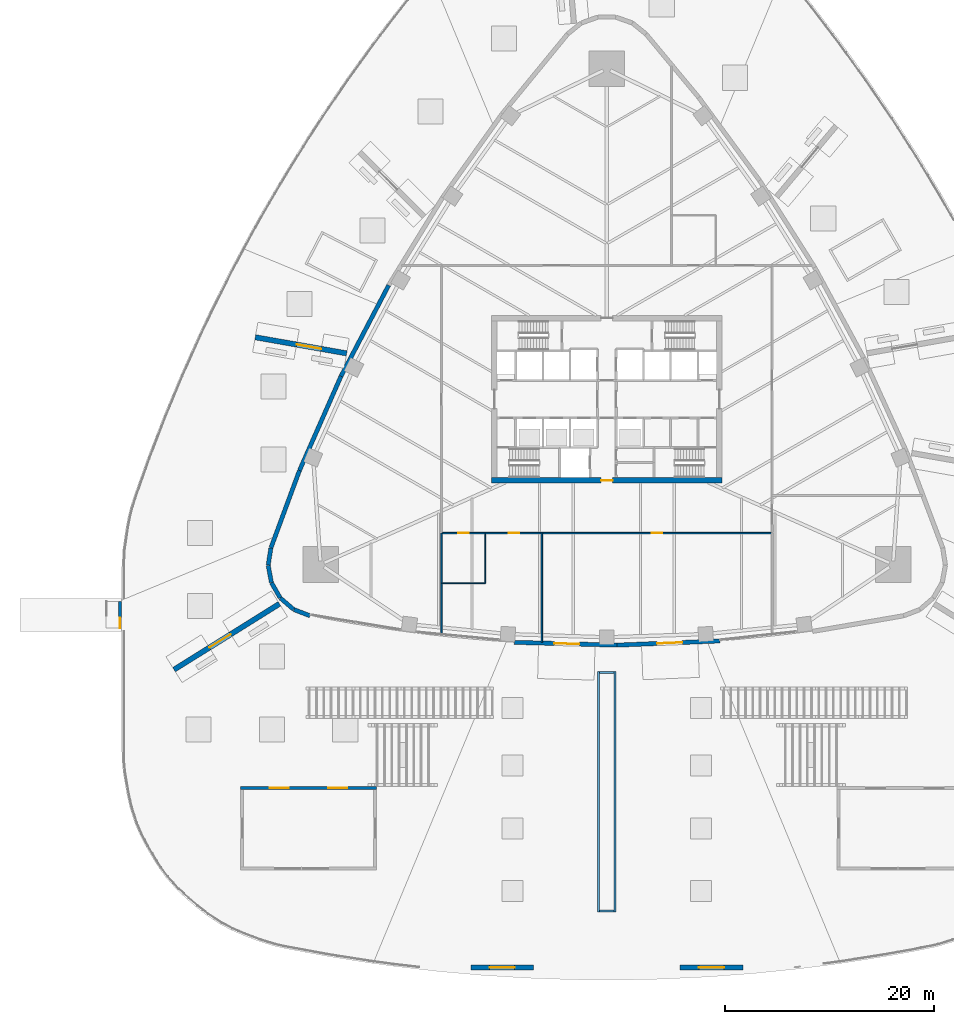
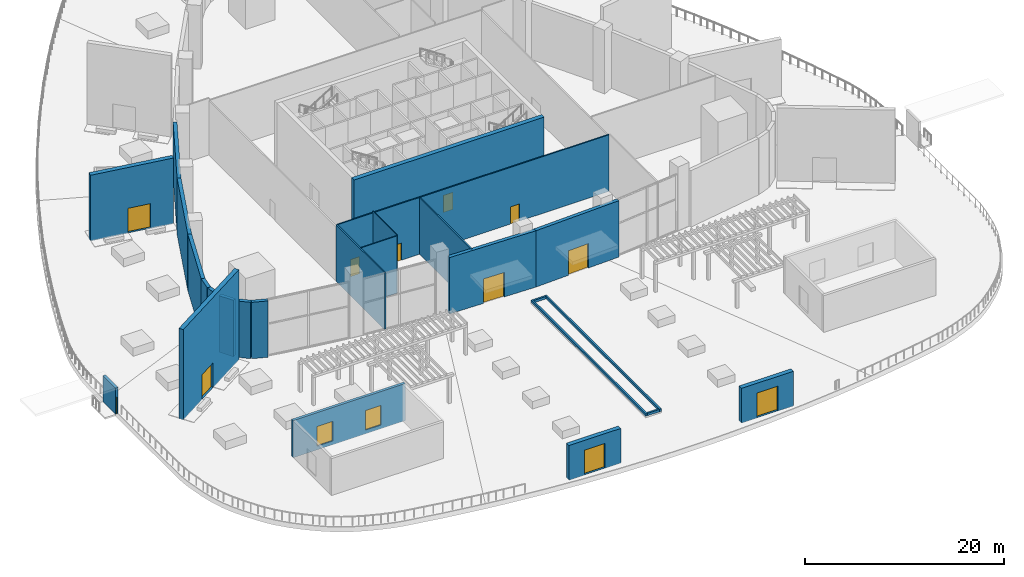
# One storey, part 8 of 20: 26 walls, 11 doors, 2 windows, 13 openings.
"""IFC4 building model written with IfcOpenShell, lengths in metres."""

from ifc_helpers import new_model, si_unit, direction, frame, frame_2d, origin, place, context, subcontext, project, spatial, rectangle, extrude, material, layer, layer_set, type_object, element, fill, save


model = new_model("IFC4")

# Units and contexts
model_context = context("Model", 3, precision=1e-05, world=origin(), true_north=direction((0.0, 1.0)))
body_context = subcontext(model_context, "Body", "Model", "MODEL_VIEW")
ifc_project = project(units=[si_unit("LENGTHUNIT", "METRE"), si_unit("AREAUNIT", "SQUARE_METRE"), si_unit("VOLUMEUNIT", "CUBIC_METRE"), si_unit("PLANEANGLEUNIT", "RADIAN"), si_unit("MASSUNIT", "GRAM", prefix="KILO")], contexts=[model_context])

# Site, building, storey
site_placement = place(None, origin())
site = spatial("IfcSite", under=ifc_project, at=site_placement, CompositionType="ELEMENT")
building_placement = place(site_placement, origin())
building = spatial("IfcBuilding", under=site, at=building_placement, Name="Sierra Prisma Convention Tower", CompositionType="ELEMENT")
storey_placement = place(building_placement, frame((0.0, 0.0, 9.0)))
storey = spatial("IfcBuildingStorey", under=building, at=storey_placement, Name="L01", CompositionType="ELEMENT", Elevation=9.0)

# Walls
ifc_material_1 = material(Name="Concrete C30/37, ochre plaster finish", Category="concrete")
ifc_layer_1 = layer(ifc_material_1, 0.199951171875)
ifc_layer_set_1 = layer_set([ifc_layer_1], Name="Basin kerb wall 200")
wall_type_1 = type_object("IfcWallType", Name="Basin kerb wall 200", PredefinedType="STANDARD", material=ifc_layer_set_1)
wall_1_placement = place(storey_placement, frame((0.800048828125, -49.0, 0.179931640625), z_axis=(0.0, 0.0, 1.0), x_axis=(0.0, 1.0, 0.0)))
element("IfcWall", 1, at=wall_1_placement, inside=storey, type_object=wall_type_1, Name="Water mirror kerb 1.1", PredefinedType="STANDARD", context=body_context, shape_type="SweptSolid", body=[
    extrude(rectangle(XDim=23.0, YDim=0.199951171875, at=frame_2d((11.5, 0.0))), origin(), (0.0, 0.0, 1.0), 0.300048828125),
])
wall_2_placement = place(storey_placement, frame((0.699951171875, -26.10009765625, 0.179931640625), z_axis=(0.0, 0.0, 1.0), x_axis=(-1.0, 0.0, 0.0)))
element("IfcWall", 2, at=wall_2_placement, inside=storey, type_object=wall_type_1, Name="Water mirror kerb 1.2", PredefinedType="STANDARD", context=body_context, shape_type="SweptSolid", body=[
    extrude(rectangle(XDim=1.39990234375, YDim=0.199951171875, at=frame_2d((0.699951171875, 0.0))), origin(), (0.0, 0.0, 1.0), 0.300048828125),
])
wall_3_placement = place(storey_placement, frame((-0.800048828125, -26.0, 0.179931640625), z_axis=(0.0, 0.0, 1.0), x_axis=(0.0, -1.0, 0.0)))
element("IfcWall", 3, at=wall_3_placement, inside=storey, type_object=wall_type_1, Name="Water mirror kerb 1.3", PredefinedType="STANDARD", context=body_context, shape_type="SweptSolid", body=[
    extrude(rectangle(XDim=23.0, YDim=0.199951171875, at=frame_2d((11.5, 0.0))), origin(), (0.0, 0.0, 1.0), 0.300048828125),
])
wall_4_placement = place(storey_placement, frame((-0.699951171875, -48.89990234375, 0.179931640625), z_axis=(0.0, 0.0, 1.0), x_axis=(1.0, 0.0, 0.0)))
element("IfcWall", 4, at=wall_4_placement, inside=storey, type_object=wall_type_1, Name="Water mirror kerb 1.4", PredefinedType="STANDARD", context=body_context, shape_type="SweptSolid", body=[
    extrude(rectangle(XDim=1.39990234375, YDim=0.199951171875, at=frame_2d((0.699951171875, 0.0))), origin(), (0.0, 0.0, 1.0), 0.300048828125),
])
ifc_material_2 = material(Name="Gypsum board partition", Category="gypsum")
ifc_layer_2 = layer(ifc_material_2, 0.10009765625)
ifc_layer_set_2 = layer_set([ifc_layer_2], Name="Bathroom partition 100")
wall_type_2 = type_object("IfcWallType", Name="Bathroom partition 100", PredefinedType="PARTITIONING", material=ifc_layer_set_2)
wall_5_placement = place(storey_placement, frame((-11.60009765625, -12.830078125, 0.0), z_axis=(0.0, 0.0, 1.0), x_axis=(0.0, -1.0, 0.0)))
element("IfcWall", 5, at=wall_5_placement, inside=storey, type_object=wall_type_2, Name="Partition L01 bath 1", PredefinedType="PARTITIONING", context=body_context, shape_type="SweptSolid", body=[
    extrude(rectangle(XDim=4.77001953125, YDim=0.10009765625, at=frame_2d((2.385009765625, 0.0))), origin(), (0.0, 0.0, 1.0), 7.14990234375),
])
wall_6_placement = place(storey_placement, frame((-11.60009765625, -17.60009765625, 0.0), z_axis=(0.0, 0.0, 1.0), x_axis=(-1.0, 0.0, 0.0)))
element("IfcWall", 6, at=wall_6_placement, inside=storey, type_object=wall_type_2, Name="Partition L01 bath 2", PredefinedType="PARTITIONING", context=body_context, shape_type="SweptSolid", body=[
    extrude(rectangle(XDim=4.169921875, YDim=0.10009765625, at=frame_2d((2.0849609375, 0.0))), origin(), (0.0, 0.0, 1.0), 7.01708984375),
])

# Wall, opening, door
ifc_material_3 = material(Name="Concrete C70/85", Category="concrete")
ifc_layer_3 = layer(ifc_material_3, 0.5)
ifc_layer_set_3 = layer_set([ifc_layer_3], Name="Core wall RC 500 C70/85")
wall_type_3 = type_object("IfcWallType", Name="Core wall RC 500 C70/85", PredefinedType="SHEAR", material=ifc_layer_set_3)
wall_7_placement = place(storey_placement, frame((-11.0, -7.75, 0.0), z_axis=(0.0, 0.0, 1.0), x_axis=(1.0, 0.0, 0.0)))
wall_7 = element("IfcWall", 7, at=wall_7_placement, inside=storey, type_object=wall_type_3, Name="Core wall S L01", PredefinedType="SHEAR", context=body_context, shape_type="SweptSolid", body=[
    extrude(rectangle(XDim=22.0, YDim=0.5, at=frame_2d((11.0, 0.0))), origin(), (0.0, 0.0, 1.0), 7.800048828125),
])
opening_1_placement = place(wall_7_placement, frame((10.449951171875, 0.0, 0.0)))
opening_1 = element("IfcOpeningElement", 8, at=opening_1_placement, cuts=wall_7, Name="Opening L01-D053", PredefinedType="OPENING", context=body_context, shape_type="SweptSolid", body=[
    extrude(rectangle(XDim=1.10009765625, YDim=2.10009765625, at=frame_2d((0.550048828125, 1.050048828125))), frame((0.0, 0.25, 0.0), z_axis=(0.0, -1.0, 0.0), x_axis=(1.0, 0.0, 0.0)), (0.0, 0.0, 1.0), 0.5),
])
ifc_material_4 = material(Name="Steel fire door leaf", Category="steel")
door_type_1 = type_object("IfcDoorType", Name="Door 1100x2100 FD30S", OperationType="SINGLE_SWING_LEFT", PredefinedType="DOOR", material=ifc_material_4)
door_1_placement = place(opening_1_placement, origin())
door_1 = element("IfcDoor", 9, at=door_1_placement, inside=storey, type_object=door_type_1, Name="Door L01 36", OperationType="SINGLE_SWING_LEFT", OverallHeight=2.10009765625, OverallWidth=1.10009765625, PredefinedType="DOOR", context=body_context, shape_type="SweptSolid", body=[
    extrude(rectangle(XDim=1.10009765625, YDim=2.10009765625, at=frame_2d((0.550048828125, 1.050048828125))), frame((0.0, 0.02490234375, 0.0), z_axis=(0.0, -1.0, 0.0), x_axis=(1.0, 0.0, 0.0)), (0.0, 0.0, 1.0), 0.050048828125),
])
fill(opening_1, door_1)

# Wall, openings, doors
ifc_material_5 = material(Name="Gypsum board partition", Category="gypsum")
ifc_layer_4 = layer(ifc_material_5, 0.14990234375)
ifc_layer_set_4 = layer_set([ifc_layer_4], Name="Corridor wall 150 gypsum EI 60")
wall_type_4 = type_object("IfcWallType", Name="Corridor wall 150 gypsum EI 60", PredefinedType="PARTITIONING", material=ifc_layer_set_4)
wall_8_placement = place(storey_placement, frame((-15.719970703125, -12.800048828125, 0.0), z_axis=(0.0, 0.0, 1.0), x_axis=(1.0, 0.0, 0.0)))
wall_8 = element("IfcWall", 10, at=wall_8_placement, inside=storey, type_object=wall_type_4, Name="Partition L01 corr 2", PredefinedType="PARTITIONING", context=body_context, shape_type="SweptSolid", body=[
    extrude(rectangle(XDim=31.43994140625, YDim=0.14990234375, at=frame_2d((15.719970703125, 0.0))), origin(), (0.0, 0.0, 1.0), 6.947021484375),
])
opening_2_placement = place(wall_8_placement, frame((1.52001953125, 0.0, 0.0)))
opening_2 = element("IfcOpeningElement", 11, at=opening_2_placement, cuts=wall_8, Name="Opening L01-D028", PredefinedType="OPENING", context=body_context, shape_type="SweptSolid", body=[
    extrude(rectangle(XDim=1.0, YDim=2.10009765625, at=frame_2d((0.5, 1.050048828125))), frame((0.0, 0.074951171875, 0.0), z_axis=(0.0, -1.0, 0.0), x_axis=(1.0, 0.0, 0.0)), (0.0, 0.0, 1.0), 0.14990234375),
])
opening_3_placement = place(wall_8_placement, frame((6.3701171875, 0.0, 0.0)))
opening_3 = element("IfcOpeningElement", 12, at=opening_3_placement, cuts=wall_8, Name="Opening L01-D029", PredefinedType="OPENING", context=body_context, shape_type="SweptSolid", body=[
    extrude(rectangle(XDim=1.0, YDim=2.10009765625, at=frame_2d((0.5, 1.050048828125))), frame((0.0, 0.074951171875, 0.0), z_axis=(0.0, -1.0, 0.0), x_axis=(1.0, 0.0, 0.0)), (0.0, 0.0, 1.0), 0.14990234375),
])
opening_4_placement = place(wall_8_placement, frame((20.02001953125, 0.0, 0.0)))
opening_4 = element("IfcOpeningElement", 13, at=opening_4_placement, cuts=wall_8, Name="Opening L01-D030", PredefinedType="OPENING", context=body_context, shape_type="SweptSolid", body=[
    extrude(rectangle(XDim=1.0, YDim=2.10009765625, at=frame_2d((0.5, 1.050048828125))), frame((0.0, 0.074951171875, 0.0), z_axis=(0.0, -1.0, 0.0), x_axis=(1.0, 0.0, 0.0)), (0.0, 0.0, 1.0), 0.14990234375),
])
ifc_material_6 = material(Name="Steel fire door leaf", Category="steel")
door_type_2 = type_object("IfcDoorType", Name="Door 1000x2100 FD30S", OperationType="SINGLE_SWING_LEFT", PredefinedType="DOOR", material=ifc_material_6)
door_2_placement = place(opening_2_placement, origin())
door_2 = element("IfcDoor", 14, at=door_2_placement, inside=storey, type_object=door_type_2, Name="Door L01 5", OperationType="SINGLE_SWING_RIGHT", OverallHeight=2.10009765625, OverallWidth=1.0, PredefinedType="DOOR", context=body_context, shape_type="SweptSolid", body=[
    extrude(rectangle(XDim=1.0, YDim=2.10009765625, at=frame_2d((0.5, 1.050048828125))), frame((0.0, 0.02490234375, 0.0), z_axis=(0.0, -1.0, 0.0), x_axis=(1.0, 0.0, 0.0)), (0.0, 0.0, 1.0), 0.050048828125),
])
fill(opening_2, door_2)
door_3_placement = place(opening_3_placement, origin())
door_3 = element("IfcDoor", 15, at=door_3_placement, inside=storey, type_object=door_type_2, Name="Door L01 6", OperationType="SINGLE_SWING_RIGHT", OverallHeight=2.10009765625, OverallWidth=1.0, PredefinedType="DOOR", context=body_context, shape_type="SweptSolid", body=[
    extrude(rectangle(XDim=1.0, YDim=2.10009765625, at=frame_2d((0.5, 1.050048828125))), frame((0.0, 0.02490234375, 0.0), z_axis=(0.0, -1.0, 0.0), x_axis=(1.0, 0.0, 0.0)), (0.0, 0.0, 1.0), 0.050048828125),
])
fill(opening_3, door_3)
door_4_placement = place(opening_4_placement, origin())
door_4 = element("IfcDoor", 16, at=door_4_placement, inside=storey, type_object=door_type_2, Name="Door L01 7", OperationType="SINGLE_SWING_RIGHT", OverallHeight=2.10009765625, OverallWidth=1.0, PredefinedType="DOOR", context=body_context, shape_type="SweptSolid", body=[
    extrude(rectangle(XDim=1.0, YDim=2.10009765625, at=frame_2d((0.5, 1.050048828125))), frame((0.0, 0.02490234375, 0.0), z_axis=(0.0, -1.0, 0.0), x_axis=(1.0, 0.0, 0.0)), (0.0, 0.0, 1.0), 0.050048828125),
])
fill(opening_4, door_4)

# Wall, opening, door
ifc_material_7 = material(Name="Concrete C35/45", Category="concrete")
ifc_layer_5 = layer(ifc_material_7, 0.300048828125)
ifc_layer_set_5 = layer_set([ifc_layer_5], Name="Exit stair enclosure wall 300")
wall_type_5 = type_object("IfcWallType", Name="Exit stair enclosure wall 300", PredefinedType="STANDARD", material=ifc_layer_set_5)
wall_9_placement = place(storey_placement, frame((-46.504638671875, -21.875, 0.0), z_axis=(0.0, 0.0, 1.0), x_axis=(0.0, 1.0, 0.0)))
wall_9 = element("IfcWall", 17, at=wall_9_placement, inside=storey, type_object=wall_type_5, Name="Exit stair west near wall at the deck", PredefinedType="STANDARD", context=body_context, shape_type="SweptSolid", body=[
    extrude(rectangle(XDim=2.550048828125, YDim=0.300048828125, at=frame_2d((1.27490234375, 0.0))), origin(), (0.0, 0.0, 1.0), 3.199951171875),
])
opening_5_placement = place(wall_9_placement, origin())
opening_5 = element("IfcOpeningElement", 18, at=opening_5_placement, cuts=wall_9, Name="Opening L01-D035", PredefinedType="OPENING", context=body_context, shape_type="SweptSolid", body=[
    extrude(rectangle(XDim=1.0, YDim=2.10009765625, at=frame_2d((0.5, 1.050048828125))), frame((0.0, 0.14990234375, 0.0), z_axis=(0.0, -1.0, 0.0), x_axis=(1.0, 0.0, 0.0)), (0.0, 0.0, 1.0), 0.300048828125),
])
ifc_material_8 = material(Name="Painted steel, fire resisting", Category="steel")
door_type_3 = type_object("IfcDoorType", Name="Exit stair door 1000 x 2100 FD90S", OperationType="SINGLE_SWING_LEFT", PredefinedType="DOOR", material=ifc_material_8)
door_5_placement = place(opening_5_placement, origin())
door_5 = element("IfcDoor", 19, at=door_5_placement, inside=storey, type_object=door_type_3, Name="Door from the deck to the west exit stair", OperationType="SINGLE_SWING_RIGHT", OverallHeight=2.10009765625, OverallWidth=1.0, PredefinedType="DOOR", context=body_context, shape_type="SweptSolid", body=[
    extrude(rectangle(XDim=1.0, YDim=2.10009765625, at=frame_2d((0.5, 1.050048828125))), frame((0.0, 0.02490234375, 0.0), z_axis=(0.0, -1.0, 0.0), x_axis=(1.0, 0.0, 0.0)), (0.0, 0.0, 1.0), 0.050048828125),
])
fill(opening_5, door_5)

ifc_material_9 = material(Name="Concrete C35/45, ochre plaster finish", Category="concrete")
ifc_layer_6 = layer(ifc_material_9, 0.5)
ifc_layer_set_6 = layer_set([ifc_layer_6], Name="Garden gateway wall 500")
wall_type_6 = type_object("IfcWallType", Name="Garden gateway wall 500", PredefinedType="STANDARD", material=ifc_layer_set_6)
wall_10_placement = place(storey_placement, frame((-13.0, -54.290283203125, -0.06005859375), z_axis=(0.0, 0.0, 1.0), x_axis=(1.0, 0.0, 0.0)))
wall_10 = element("IfcWall", 20, at=wall_10_placement, inside=storey, type_object=wall_type_6, Name="Garden gateway wall", PredefinedType="STANDARD", context=body_context, shape_type="SweptSolid", body=[
    extrude(rectangle(XDim=6.0, YDim=0.5, at=frame_2d((3.0, 0.0))), origin(), (0.0, 0.0, 1.0), 4.260009765625),
])
opening_6_placement = place(wall_10_placement, frame((1.800048828125, 0.0, 0.06005859375)))
opening_6 = element("IfcOpeningElement", 21, at=opening_6_placement, cuts=wall_10, Name="Opening L01-D045", PredefinedType="OPENING", context=body_context, shape_type="SweptSolid", body=[
    extrude(rectangle(XDim=2.39990234375, YDim=3.0, at=frame_2d((1.199951171875, 1.5))), frame((0.0, 0.25, 0.0), z_axis=(0.0, -1.0, 0.0), x_axis=(1.0, 0.0, 0.0)), (0.0, 0.0, 1.0), 0.5),
])
ifc_material_10 = material(Name="Bronze anodised aluminium and glass", Category="aluminium")
door_type_4 = type_object("IfcDoorType", Name="Garden gateway door double 2400 x 3000", OperationType="DOUBLE_DOOR_SINGLE_SWING", PredefinedType="DOOR", material=ifc_material_10)
door_6_placement = place(opening_6_placement, origin())
door_6 = element("IfcDoor", 22, at=door_6_placement, inside=storey, type_object=door_type_4, Name="Garden gateway door", OperationType="DOUBLE_DOOR_SINGLE_SWING", OverallHeight=3.0, OverallWidth=2.39990234375, PredefinedType="DOOR", context=body_context, shape_type="SweptSolid", body=[
    extrude(rectangle(XDim=2.39990234375, YDim=3.0, at=frame_2d((1.199951171875, 1.5))), frame((0.0, 0.02490234375, 0.0), z_axis=(0.0, -1.0, 0.0), x_axis=(1.0, 0.0, 0.0)), (0.0, 0.0, 1.0), 0.050048828125),
])
fill(opening_6, door_6)

wall_11_placement = place(storey_placement, frame((13.0, -54.290283203125, -0.06005859375), z_axis=(0.0, 0.0, 1.0), x_axis=(-1.0, 0.0, 0.0)))
wall_11 = element("IfcWall", 23, at=wall_11_placement, inside=storey, type_object=wall_type_6, Name="Garden gateway wall", PredefinedType="STANDARD", context=body_context, shape_type="SweptSolid", body=[
    extrude(rectangle(XDim=6.0, YDim=0.5, at=frame_2d((3.0, 0.0))), origin(), (0.0, 0.0, 1.0), 4.260009765625),
])
opening_7_placement = place(wall_11_placement, frame((1.800048828125, 0.0, 0.06005859375)))
opening_7 = element("IfcOpeningElement", 24, at=opening_7_placement, cuts=wall_11, Name="Opening L01-D046", PredefinedType="OPENING", context=body_context, shape_type="SweptSolid", body=[
    extrude(rectangle(XDim=2.39990234375, YDim=3.0, at=frame_2d((1.199951171875, 1.5))), frame((0.0, 0.25, 0.0), z_axis=(0.0, -1.0, 0.0), x_axis=(1.0, 0.0, 0.0)), (0.0, 0.0, 1.0), 0.5),
])
door_7_placement = place(opening_7_placement, origin())
door_7 = element("IfcDoor", 25, at=door_7_placement, inside=storey, type_object=door_type_4, Name="Garden gateway door", OperationType="DOUBLE_DOOR_SINGLE_SWING", OverallHeight=3.0, OverallWidth=2.39990234375, PredefinedType="DOOR", context=body_context, shape_type="SweptSolid", body=[
    extrude(rectangle(XDim=2.39990234375, YDim=3.0, at=frame_2d((1.199951171875, 1.5))), frame((0.0, 0.02490234375, 0.0), z_axis=(0.0, -1.0, 0.0), x_axis=(1.0, 0.0, 0.0)), (0.0, 0.0, 1.0), 0.050048828125),
])
fill(opening_7, door_7)

ifc_material_11 = material(Name="Concrete C35/45, ochre plaster finish", Category="concrete")
ifc_layer_7 = layer(ifc_material_11, 0.5)
ifc_layer_set_7 = layer_set([ifc_layer_7], Name="Ochre garden wall 500")
wall_type_7 = type_object("IfcWallType", Name="Ochre garden wall 500", PredefinedType="STANDARD", material=ifc_layer_set_7)
wall_12_placement = place(storey_placement, frame((-31.281982421875, -19.547119140625, -0.06005859375), z_axis=(0.0, 0.0, 1.0), x_axis=(-0.848041028106, -0.529930575311, 0.0)))
wall_12 = element("IfcWall", 26, at=wall_12_placement, inside=storey, type_object=wall_type_7, Name="Garden wall 6", PredefinedType="STANDARD", context=body_context, shape_type="SweptSolid", body=[
    extrude(rectangle(XDim=11.87744140625, YDim=0.5, at=frame_2d((5.938720703125, 0.0))), origin(), (0.0, 0.0, 1.0), 11.06005859375),
])
opening_8_placement = place(wall_12_placement, frame((5.496826171875, 0.0, 0.06005859375)))
opening_8 = element("IfcOpeningElement", 27, at=opening_8_placement, cuts=wall_12, Name="Opening L01-D042", PredefinedType="OPENING", context=body_context, shape_type="SweptSolid", body=[
    extrude(rectangle(XDim=2.39990234375, YDim=3.0, at=frame_2d((1.199951171875, 1.5))), frame((0.0, 0.25, 0.0), z_axis=(0.0, -1.0, 0.0), x_axis=(1.0, 0.0, 0.0)), (0.0, 0.0, 1.0), 0.5),
])
ifc_material_12 = material(Name="Bronze anodised aluminium and glass", Category="aluminium")
door_type_5 = type_object("IfcDoorType", Name="Garden door double 2400 x 3000", OperationType="DOUBLE_DOOR_SINGLE_SWING", PredefinedType="DOOR", material=ifc_material_12)
door_8_placement = place(opening_8_placement, origin())
door_8 = element("IfcDoor", 28, at=door_8_placement, inside=storey, type_object=door_type_5, Name="Garden door", OperationType="DOUBLE_DOOR_SINGLE_SWING", OverallHeight=3.0, OverallWidth=2.39990234375, PredefinedType="DOOR", context=body_context, shape_type="SweptSolid", body=[
    extrude(rectangle(XDim=2.39990234375, YDim=3.0, at=frame_2d((1.199951171875, 1.5))), frame((0.0, 0.02490234375, 0.0), z_axis=(0.0, -1.0, 0.0), x_axis=(1.0, 0.0, 0.0)), (0.0, 0.0, 1.0), 0.050048828125),
])
fill(opening_8, door_8)

# Walls
ifc_material_13 = material(Name="Gypsum board partition", Category="gypsum")
ifc_layer_8 = layer(ifc_material_13, 0.14990234375)
ifc_layer_set_8 = layer_set([ifc_layer_8], Name="Party wall 150 gypsum")
wall_type_8 = type_object("IfcWallType", Name="Party wall 150 gypsum", PredefinedType="PARTITIONING", material=ifc_layer_set_8)
wall_13_placement = place(storey_placement, frame((-15.800048828125, -12.800048828125, 0.0), z_axis=(0.0, 0.0, 1.0), x_axis=(0.0, -1.0, 0.0)))
element("IfcWall", 29, at=wall_13_placement, inside=storey, type_object=wall_type_8, Name="Partition L01 party 2", PredefinedType="PARTITIONING", context=body_context, shape_type="SweptSolid", body=[
    extrude(rectangle(XDim=9.7099609375, YDim=0.14990234375, at=frame_2d((4.85498046875, 0.0))), origin(), (0.0, 0.0, 1.0), 6.93408203125),
])
wall_14_placement = place(storey_placement, frame((-6.199951171875, -12.800048828125, 0.0), z_axis=(0.0, 0.0, 1.0), x_axis=(0.0, -1.0, 0.0)))
element("IfcWall", 30, at=wall_14_placement, inside=storey, type_object=wall_type_8, Name="Partition L01 party 3", PredefinedType="PARTITIONING", context=body_context, shape_type="SweptSolid", body=[
    extrude(rectangle(XDim=10.44384765625, YDim=0.14990234375, at=frame_2d((5.221923828125, 0.0))), origin(), (0.0, 0.0, 1.0), 6.93408203125),
])

# Wall, openings, windows
ifc_material_14 = material(Name="Concrete C35/45, rose plaster finish", Category="concrete")
ifc_layer_9 = layer(ifc_material_14, 0.300048828125)
ifc_layer_set_9 = layer_set([ifc_layer_9], Name="Pavilion plastered wall 300")
wall_type_9 = type_object("IfcWallType", Name="Pavilion plastered wall 300", PredefinedType="STANDARD", material=ifc_layer_set_9)
wall_15_placement = place(storey_placement, frame((-35.0, -37.14990234375, -0.06005859375), z_axis=(0.0, 0.0, 1.0), x_axis=(1.0, 0.0, 0.0)))
wall_15 = element("IfcWall", 31, at=wall_15_placement, inside=storey, type_object=wall_type_9, Name="West welcome pavilion wall", PredefinedType="STANDARD", context=body_context, shape_type="SweptSolid", body=[
    extrude(rectangle(XDim=13.0, YDim=0.300048828125, at=frame_2d((6.5, 0.0))), origin(), (0.0, 0.0, 1.0), 4.56005859375),
])
opening_9_placement = place(wall_15_placement, frame((2.800048828125, 0.0, 0.4599609375)))
opening_9 = element("IfcOpeningElement", 32, at=opening_9_placement, cuts=wall_15, Name="Opening L01-W05", PredefinedType="OPENING", context=body_context, shape_type="SweptSolid", body=[
    extrude(rectangle(XDim=1.800048828125, YDim=2.39990234375, at=frame_2d((0.89990234375, 1.199951171875))), frame((0.0, 0.14990234375, 0.0), z_axis=(0.0, -1.0, 0.0), x_axis=(1.0, 0.0, 0.0)), (0.0, 0.0, 1.0), 0.300048828125),
])
opening_10_placement = place(wall_15_placement, frame((8.39990234375, 0.0, 0.4599609375)))
opening_10 = element("IfcOpeningElement", 33, at=opening_10_placement, cuts=wall_15, Name="Opening L01-W06", PredefinedType="OPENING", context=body_context, shape_type="SweptSolid", body=[
    extrude(rectangle(XDim=1.800048828125, YDim=2.39990234375, at=frame_2d((0.89990234375, 1.199951171875))), frame((0.0, 0.14990234375, 0.0), z_axis=(0.0, -1.0, 0.0), x_axis=(1.0, 0.0, 0.0)), (0.0, 0.0, 1.0), 0.300048828125),
])
ifc_material_15 = material(Name="Tinted glass, bronze aluminium frame", Category="aluminium")
window_type = type_object("IfcWindowType", Name="Pavilion window 1800 x 2400", PartitioningType="SINGLE_PANEL", PredefinedType="WINDOW", material=ifc_material_15)
window_1_placement = place(opening_9_placement, origin())
window_1 = element("IfcWindow", 34, at=window_1_placement, inside=storey, type_object=window_type, Name="Pavilion window", OverallHeight=2.39990234375, OverallWidth=1.800048828125, PartitioningType="SINGLE_PANEL", PredefinedType="WINDOW", context=body_context, shape_type="SweptSolid", body=[
    extrude(rectangle(XDim=1.800048828125, YDim=2.39990234375, at=frame_2d((0.89990234375, 1.199951171875))), frame((0.0, 0.030029296875, 0.0), z_axis=(0.0, -1.0, 0.0), x_axis=(1.0, 0.0, 0.0)), (0.0, 0.0, 1.0), 0.06005859375),
])
fill(opening_9, window_1)
window_2_placement = place(opening_10_placement, origin())
window_2 = element("IfcWindow", 35, at=window_2_placement, inside=storey, type_object=window_type, Name="Pavilion window", OverallHeight=2.39990234375, OverallWidth=1.800048828125, PartitioningType="SINGLE_PANEL", PredefinedType="WINDOW", context=body_context, shape_type="SweptSolid", body=[
    extrude(rectangle(XDim=1.800048828125, YDim=2.39990234375, at=frame_2d((0.89990234375, 1.199951171875))), frame((0.0, 0.030029296875, 0.0), z_axis=(0.0, -1.0, 0.0), x_axis=(1.0, 0.0, 0.0)), (0.0, 0.0, 1.0), 0.06005859375),
])
fill(opening_10, window_2)

# Walls
ifc_material_16 = material(Name="Concrete C40/50, terracotta plaster finish", Category="masonry")
ifc_layer_10 = layer(ifc_material_16, 0.39990234375)
ifc_layer_set_10 = layer_set([ifc_layer_10], Name="Podium plastered wall 400")
wall_type_10 = type_object("IfcWallType", Name="Podium plastered wall 400", PredefinedType="STANDARD", material=ifc_layer_set_10)
wall_16_placement = place(storey_placement, frame((-25.403564453125, 2.191162109375, 0.0), z_axis=(0.0, 0.0, 1.0), x_axis=(0.464246519602, 0.885706028566, 0.0)))
element("IfcWall", 36, at=wall_16_placement, inside=storey, type_object=wall_type_10, Name="Podium wall L01 19", PredefinedType="STANDARD", context=body_context, shape_type="SweptSolid", body=[
    extrude(rectangle(XDim=9.82568359375, YDim=0.39990234375, at=frame_2d((4.912841796875, 0.0))), origin(), (0.0, 0.0, 1.0), 6.89990234375),
])
wall_17_placement = place(storey_placement, frame((-29.3662109375, -6.8076171875, 0.0), z_axis=(0.0, 0.0, 1.0), x_axis=(0.40298923147, 0.915204719895, 0.0)))
element("IfcWall", 37, at=wall_17_placement, inside=storey, type_object=wall_type_10, Name="Podium wall L01 20", PredefinedType="STANDARD", context=body_context, shape_type="SweptSolid", body=[
    extrude(rectangle(XDim=9.825927734375, YDim=0.39990234375, at=frame_2d((4.9130859375, 0.0))), origin(), (0.0, 0.0, 1.0), 6.89990234375),
])
wall_18_placement = place(storey_placement, frame((-32.09423828125, -14.199462890625, 0.0), z_axis=(0.0, 0.0, 1.0), x_axis=(0.346208249512, 0.938157688222, 0.0)))
element("IfcWall", 38, at=wall_18_placement, inside=storey, type_object=wall_type_10, Name="Podium wall L01 21", PredefinedType="STANDARD", context=body_context, shape_type="SweptSolid", body=[
    extrude(rectangle(XDim=7.873291015625, YDim=0.39990234375, at=frame_2d((3.9365234375, 0.0))), origin(), (0.0, 0.0, 1.0), 6.89990234375),
])
wall_19_placement = place(storey_placement, frame((-32.355712890625, -15.8447265625, 0.0), z_axis=(0.0, 0.0, 1.0), x_axis=(0.155711266073, 0.98780261268, 0.0)))
element("IfcWall", 39, at=wall_19_placement, inside=storey, type_object=wall_type_10, Name="Podium wall L01 22", PredefinedType="STANDARD", context=body_context, shape_type="SweptSolid", body=[
    extrude(rectangle(XDim=1.646240234375, YDim=0.39990234375, at=frame_2d((0.8232421875, 0.0))), origin(), (0.0, 0.0, 1.0), 6.89990234375),
])
for number, where, z_axis, x_axis, name in (
    (40, (-32.05224609375, -17.50927734375, 0.0), (0.0, 0.0, 1.0), (-0.182653168579, 0.983177410241, 0.0), "Podium wall L01 23"),
    (41, (-31.211181640625, -18.9775390625, 0.0), (0.0, 0.0, 1.0), (-0.499985761608, 0.866033624168, 0.0), "Podium wall L01 24"),
    (42, (-29.9287109375, -20.0810546875, 0.0), (0.0, 0.0, 1.0), (-0.760211621525, 0.649675527089, 0.0), "Podium wall L01 25"),
):
    element("IfcWall", number, at=place(storey_placement, frame(where, z_axis=z_axis, x_axis=x_axis)), inside=storey, type_object=wall_type_10, Name=name, PredefinedType="STANDARD", context=body_context, shape_type="SweptSolid", body=[
        extrude(rectangle(XDim=1.65869140625, YDim=0.39990234375, at=frame_2d((0.829345703125, 0.0))), origin(), (0.0, 0.0, 1.0), 6.89990234375),
    ])
wall_20_placement = place(storey_placement, frame((-28.36328125, -20.689453125, 0.0), z_axis=(0.0, 0.0, 1.0), x_axis=(-0.933315023429, 0.359058584415, 0.0)))
element("IfcWall", 43, at=wall_20_placement, inside=storey, type_object=wall_type_10, Name="Podium wall L01 26", PredefinedType="STANDARD", context=body_context, shape_type="SweptSolid", body=[
    extrude(rectangle(XDim=1.646240234375, YDim=0.39990234375, at=frame_2d((0.8232421875, 0.0))), origin(), (0.0, 0.0, 1.0), 6.89990234375),
])

# Wall, opening, door
wall_21_placement = place(storey_placement, frame((0.97998046875, -23.49658203125, 0.0), z_axis=(0.0, 0.0, 1.0), x_axis=(-0.999629782494, 0.027208416899, 0.0)))
wall_21 = element("IfcWall", 44, at=wall_21_placement, inside=storey, type_object=wall_type_10, Name="Podium wall L01 29", PredefinedType="STANDARD", context=body_context, shape_type="SweptSolid", body=[
    extrude(rectangle(XDim=9.825439453125, YDim=0.39990234375, at=frame_2d((4.91259765625, 0.0))), origin(), (0.0, 0.0, 1.0), 6.89990234375),
])
opening_11_placement = place(wall_21_placement, frame((3.60009765625, 0.0, 0.0)))
opening_11 = element("IfcOpeningElement", 45, at=opening_11_placement, cuts=wall_21, Name="Opening L01-D033", PredefinedType="OPENING", context=body_context, shape_type="SweptSolid", body=[
    extrude(rectangle(XDim=2.39990234375, YDim=3.0, at=frame_2d((1.199951171875, 1.5))), frame((0.0, 0.199951171875, 0.0), z_axis=(0.0, -1.0, 0.0), x_axis=(1.0, 0.0, 0.0)), (0.0, 0.0, 1.0), 0.39990234375),
])
ifc_material_17 = material(Name="Glass and bronze aluminium", Category="aluminium")
door_type_6 = type_object("IfcDoorType", Name="Deck entrance double 2400 x 3000", OperationType="DOUBLE_DOOR_SINGLE_SWING", PredefinedType="DOOR", material=ifc_material_17)
door_9_placement = place(opening_11_placement, origin())
door_9 = element("IfcDoor", 46, at=door_9_placement, inside=storey, type_object=door_type_6, Name="Garden deck entrance", OperationType="DOUBLE_DOOR_SINGLE_SWING", OverallHeight=3.0, OverallWidth=2.39990234375, PredefinedType="DOOR", context=body_context, shape_type="SweptSolid", body=[
    extrude(rectangle(XDim=2.39990234375, YDim=3.0, at=frame_2d((1.199951171875, 1.5))), frame((0.0, 0.02490234375, 0.0), z_axis=(0.0, -1.0, 0.0), x_axis=(1.0, 0.0, 0.0)), (0.0, 0.0, 1.0), 0.050048828125),
])
fill(opening_11, door_9)

wall_22_placement = place(storey_placement, frame((10.80419921875, -23.095703125, 0.0), z_axis=(0.0, 0.0, 1.0), x_axis=(-0.999167350404, -0.04079958195, 0.0)))
wall_22 = element("IfcWall", 47, at=wall_22_placement, inside=storey, type_object=wall_type_10, Name="Podium wall L01 30", PredefinedType="STANDARD", context=body_context, shape_type="SweptSolid", body=[
    extrude(rectangle(XDim=9.82568359375, YDim=0.39990234375, at=frame_2d((4.912841796875, 0.0))), origin(), (0.0, 0.0, 1.0), 6.89990234375),
])
opening_12_placement = place(wall_22_placement, frame((3.60009765625, 0.0, 0.0)))
opening_12 = element("IfcOpeningElement", 48, at=opening_12_placement, cuts=wall_22, Name="Opening L01-D034", PredefinedType="OPENING", context=body_context, shape_type="SweptSolid", body=[
    extrude(rectangle(XDim=2.39990234375, YDim=3.0, at=frame_2d((1.199951171875, 1.5))), frame((0.0, 0.199951171875, 0.0), z_axis=(0.0, -1.0, 0.0), x_axis=(1.0, 0.0, 0.0)), (0.0, 0.0, 1.0), 0.39990234375),
])
door_10_placement = place(opening_12_placement, origin())
door_10 = element("IfcDoor", 49, at=door_10_placement, inside=storey, type_object=door_type_6, Name="Garden deck entrance", OperationType="DOUBLE_DOOR_SINGLE_SWING", OverallHeight=3.0, OverallWidth=2.39990234375, PredefinedType="DOOR", context=body_context, shape_type="SweptSolid", body=[
    extrude(rectangle(XDim=2.39990234375, YDim=3.0, at=frame_2d((1.199951171875, 1.5))), frame((0.0, 0.02490234375, 0.0), z_axis=(0.0, -1.0, 0.0), x_axis=(1.0, 0.0, 0.0)), (0.0, 0.0, 1.0), 0.050048828125),
])
fill(opening_12, door_10)

ifc_material_18 = material(Name="Concrete C35/45, rose plaster finish", Category="concrete")
ifc_layer_11 = layer(ifc_material_18, 0.5)
ifc_layer_set_11 = layer_set([ifc_layer_11], Name="Rose garden wall 500")
wall_type_11 = type_object("IfcWallType", Name="Rose garden wall 500", PredefinedType="STANDARD", material=ifc_layer_set_11)
wall_23_placement = place(storey_placement, frame((-24.858642578125, 4.38330078125, -0.06005859375), z_axis=(0.0, 0.0, 1.0), x_axis=(-0.984806552883, 0.173654983803, 0.0)))
wall_23 = element("IfcWall", 50, at=wall_23_placement, inside=storey, type_object=wall_type_11, Name="Garden wall 5", PredefinedType="STANDARD", context=body_context, shape_type="SweptSolid", body=[
    extrude(rectangle(XDim=8.868408203125, YDim=0.5, at=frame_2d((4.43408203125, 0.0))), origin(), (0.0, 0.0, 1.0), 8.06005859375),
])
opening_13_placement = place(wall_23_placement, frame((2.4580078125, 0.0, 0.06005859375)))
opening_13 = element("IfcOpeningElement", 51, at=opening_13_placement, cuts=wall_23, Name="Opening L01-D041", PredefinedType="OPENING", context=body_context, shape_type="SweptSolid", body=[
    extrude(rectangle(XDim=2.39990234375, YDim=3.0, at=frame_2d((1.199951171875, 1.5))), frame((0.0, 0.25, 0.0), z_axis=(0.0, -1.0, 0.0), x_axis=(1.0, 0.0, 0.0)), (0.0, 0.0, 1.0), 0.5),
])
door_11_placement = place(opening_13_placement, origin())
door_11 = element("IfcDoor", 52, at=door_11_placement, inside=storey, type_object=door_type_5, Name="Garden door", OperationType="DOUBLE_DOOR_SINGLE_SWING", OverallHeight=3.0, OverallWidth=2.39990234375, PredefinedType="DOOR", context=body_context, shape_type="SweptSolid", body=[
    extrude(rectangle(XDim=2.39990234375, YDim=3.0, at=frame_2d((1.199951171875, 1.5))), frame((0.0, 0.02490234375, 0.0), z_axis=(0.0, -1.0, 0.0), x_axis=(1.0, 0.0, 0.0)), (0.0, 0.0, 1.0), 0.050048828125),
])
fill(opening_13, door_11)

save(model, "model.ifc")
